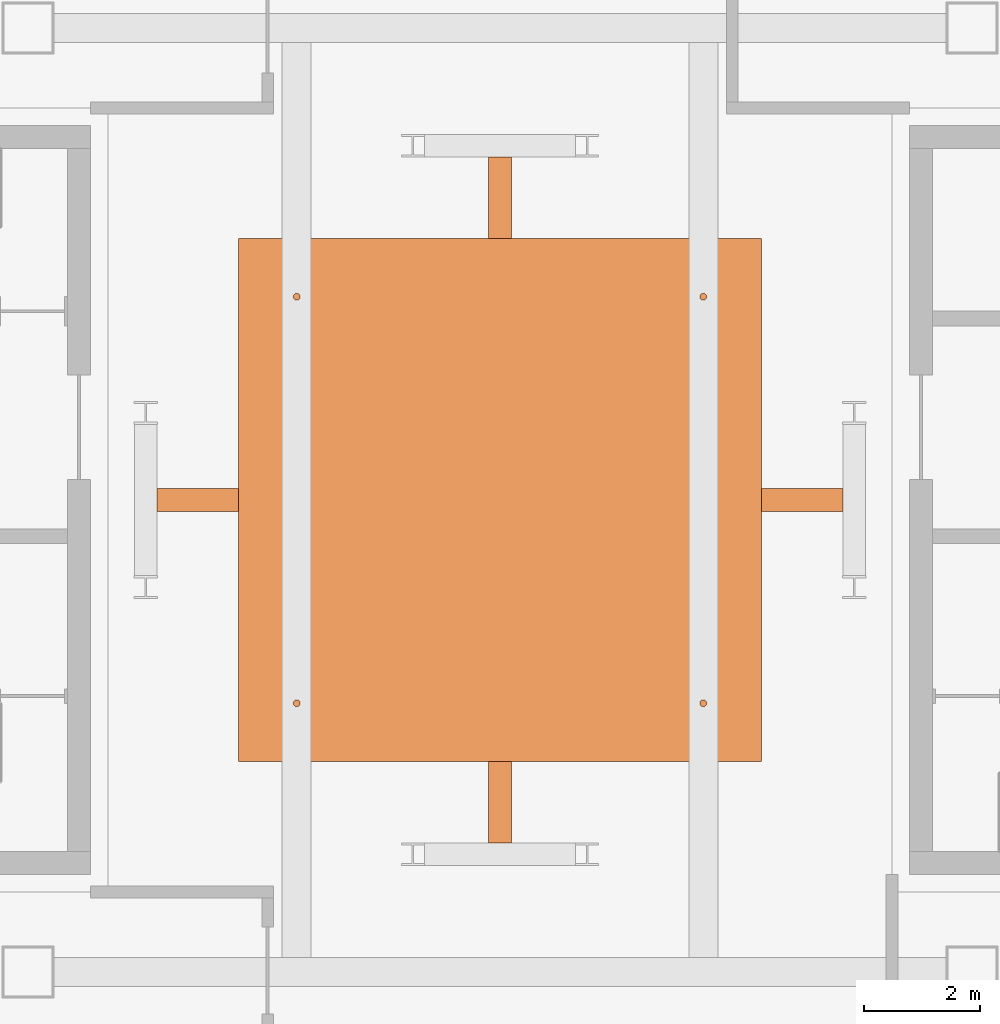
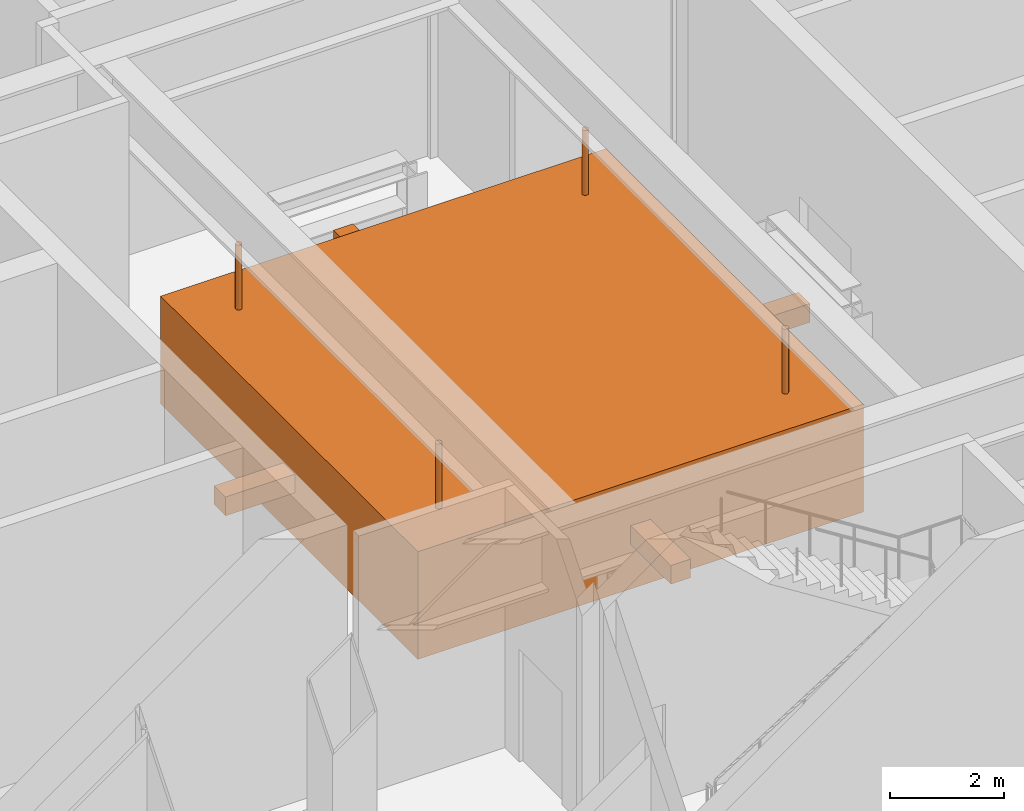
# One storey, part 16 of 17: 9 proxies.
"""IFC4 building model written with IfcOpenShell, lengths in metres."""

from ifc_helpers import new_model, si_unit, direction, frame, origin, origin_2d, place, context, subcontext, project, spatial, rectangle, circle, extrude, material, material_profile, profile_set, type_object, element, save


model = new_model("IFC4")

# Units and contexts
model_context = context("Model", 3, precision=1e-05, world=origin(), true_north=direction((0.0, 1.0)))
body_context = subcontext(model_context, "Body", "Model", "MODEL_VIEW")
ifc_project = project(units=[si_unit("LENGTHUNIT", "METRE"), si_unit("AREAUNIT", "SQUARE_METRE"), si_unit("VOLUMEUNIT", "CUBIC_METRE"), si_unit("PLANEANGLEUNIT", "RADIAN"), si_unit("MASSUNIT", "GRAM", prefix="KILO")], contexts=[model_context])

# Site, building, storey
site_placement = place(None, origin())
site = spatial("IfcSite", under=ifc_project, at=site_placement, CompositionType="ELEMENT")
building_placement = place(site_placement, origin())
building = spatial("IfcBuilding", under=site, at=building_placement, Name="Shamsa Quay Exchange Towers", CompositionType="ELEMENT")
storey_placement = place(building_placement, frame((0.0, 0.0, 278.300048828125)))
storey = spatial("IfcBuildingStorey", under=building, at=storey_placement, Name="L67", CompositionType="ELEMENT", Elevation=278.300048828125)

# Proxies
ifc_material_1 = material(Name="Steel S460", Category="steel")
ifc_material_profile = material_profile(ifc_material_1, circle(Radius=0.06005859375, at=origin_2d()), Name="R120")
ifc_profile_set = profile_set([ifc_material_profile], Name="Steel S460")
building_element_proxy_type_1 = type_object("IfcBuildingElementProxyType", Name="Damper hanger rod 120", PredefinedType="USERDEFINED", material=ifc_profile_set)
for number, where, name in (
    (1, (-37.25, -3.5, 2.89990234375), "DAMPER CABLE T1 SW"),
    (2, (-37.25, 3.5, 2.89990234375), "DAMPER CABLE T1 NW"),
    (3, (-30.25, -3.5, 2.89990234375), "DAMPER CABLE T1 SE"),
    (4, (-30.25, 3.5, 2.89990234375), "DAMPER CABLE T1 NE"),
):
    element("IfcBuildingElementProxy", number, at=place(storey_placement, frame(where)), inside=storey, type_object=building_element_proxy_type_1, Name=name, ObjectType="DAMPER CABLE", PredefinedType="USERDEFINED", context=body_context, shape_type="SweptSolid", body=[
        extrude(circle(Radius=0.06005859375, at=origin_2d()), origin(), (0.0, 0.0, 1.0), 1.385009765625),
    ])
ifc_material_2 = material(Name="Steel S355 shell with high-density concrete fill", Category="concrete")
building_element_proxy_type_2 = type_object("IfcBuildingElementProxyType", Name="Tuned mass damper block", PredefinedType="USERDEFINED", material=ifc_material_2)
proxy_placement = place(storey_placement, frame((-33.75, 0.0, 0.60009765625)))
element("IfcBuildingElementProxy", 5, at=proxy_placement, inside=storey, type_object=building_element_proxy_type_2, Name="Tuned mass damper T1", ObjectType="TUNED MASS DAMPER", PredefinedType="USERDEFINED", context=body_context, shape_type="SweptSolid", body=[
    extrude(rectangle(XDim=9.0, YDim=9.0, at=origin_2d()), origin(), (0.0, 0.0, 1.0), 2.300048828125),
])
ifc_material_3 = material(Name="Steel S355", Category="steel")
building_element_proxy_type_3 = type_object("IfcBuildingElementProxyType", Name="Viscous damper unit", PredefinedType="USERDEFINED", material=ifc_material_3)
for number, where, name in (
    (6, (-28.54833984375, 0.0, 1.550048828125), "VISCOUS DAMPER T1 E"),
    (7, (-38.95166015625, 0.0, 1.550048828125), "VISCOUS DAMPER T1 W"),
):
    element("IfcBuildingElementProxy", number, at=place(storey_placement, frame(where)), inside=storey, type_object=building_element_proxy_type_3, Name=name, ObjectType="VISCOUS DAMPER", PredefinedType="USERDEFINED", context=body_context, shape_type="SweptSolid", body=[
        extrude(rectangle(XDim=1.403076171875, YDim=0.39990234375, at=origin_2d()), origin(), (0.0, 0.0, 1.0), 0.39990234375),
    ])
for number, where, name in (
    (8, (-33.75, 5.20166015625, 1.550048828125), "VISCOUS DAMPER T1 N"),
    (9, (-33.75, -5.20166015625, 1.550048828125), "VISCOUS DAMPER T1 S"),
):
    element("IfcBuildingElementProxy", number, at=place(storey_placement, frame(where)), inside=storey, type_object=building_element_proxy_type_3, Name=name, ObjectType="VISCOUS DAMPER", PredefinedType="USERDEFINED", context=body_context, shape_type="SweptSolid", body=[
        extrude(rectangle(XDim=0.39990234375, YDim=1.403076171875, at=origin_2d()), origin(), (0.0, 0.0, 1.0), 0.39990234375),
    ])

save(model, "model.ifc")
